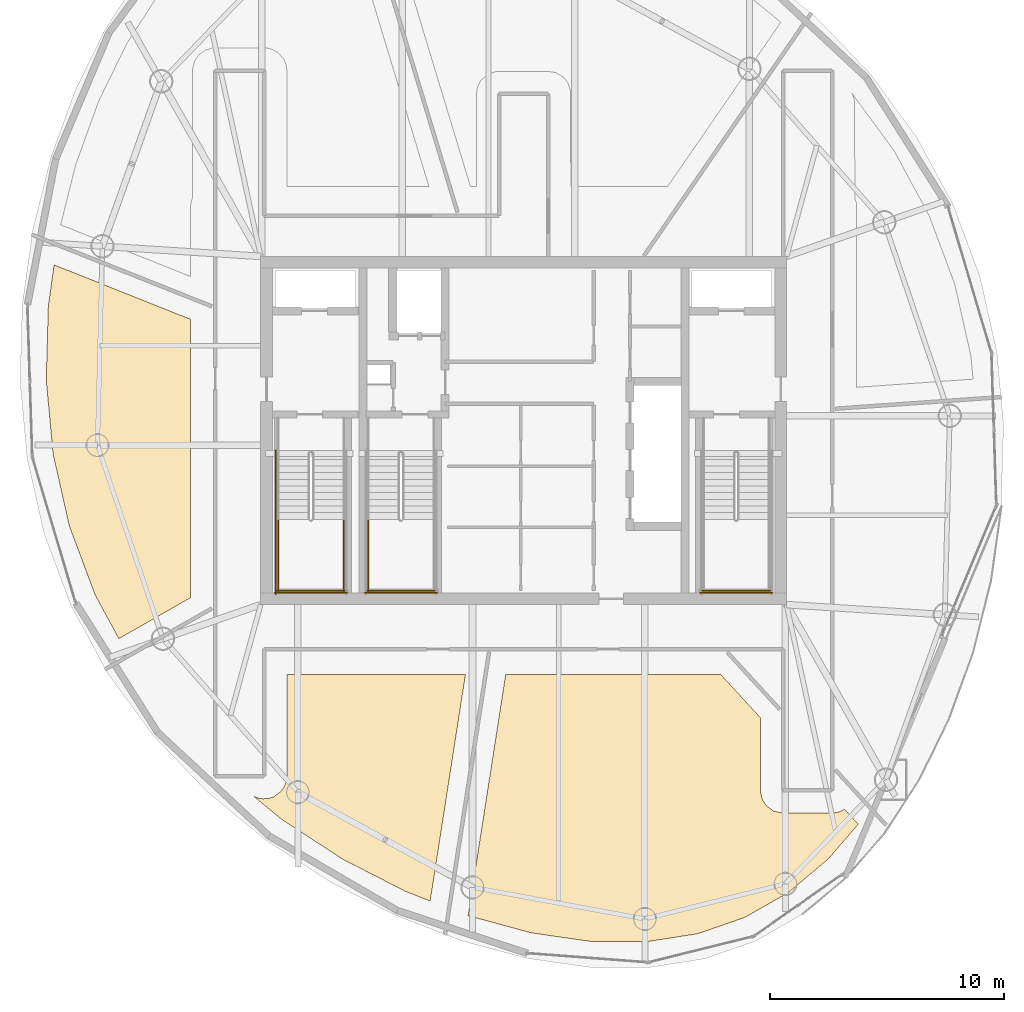
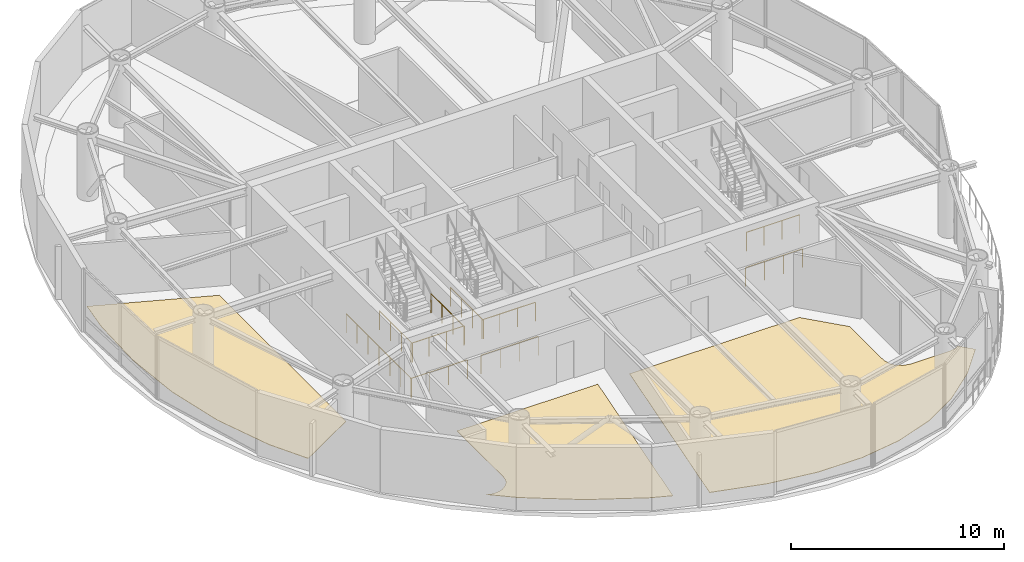
# One storey, part 20 of 23: 10 railings, 3 coverings.
"""IFC4 building model written with IfcOpenShell, lengths in metres."""

from ifc_helpers import new_model, si_unit, direction, frame, origin, origin_2d, place, context, subcontext, project, spatial, polyline, circle, outline, extrude, material, layer, layer_set, type_object, element, save


model = new_model("IFC4")

# Units and contexts
model_context = context("Model", 3, precision=1e-05, world=origin(), true_north=direction((0.0, 1.0)))
body_context = subcontext(model_context, "Body", "Model", "MODEL_VIEW")
ifc_project = project(units=[si_unit("LENGTHUNIT", "METRE"), si_unit("AREAUNIT", "SQUARE_METRE"), si_unit("VOLUMEUNIT", "CUBIC_METRE"), si_unit("PLANEANGLEUNIT", "RADIAN"), si_unit("MASSUNIT", "GRAM", prefix="KILO")], contexts=[model_context])

# Site, building, storey
site_placement = place(None, origin())
site = spatial("IfcSite", under=ifc_project, at=site_placement, CompositionType="ELEMENT")
building_placement = place(site_placement, origin())
building = spatial("IfcBuilding", under=site, at=building_placement, Name="Bramvorn Convention Spire", CompositionType="ELEMENT")
storey_placement = place(building_placement, frame((0.0, 0.0, 295.949951171875)))
storey = spatial("IfcBuildingStorey", under=building, at=storey_placement, Name="L75", CompositionType="ELEMENT", Elevation=295.949951171875)

# Coverings
ifc_material_1 = material(Name="Honed Dolomitic Limestone Terrazzo Flooring", Category="masonry")
ifc_layer = layer(ifc_material_1, 0.02490234375)
ifc_layer_set = layer_set([ifc_layer], Name="Honed Dolomitic Limestone Terrazzo Flooring - FLR-TERRAZZO-25")
covering_type = type_object("IfcCoveringType", Name="FLR-TERRAZZO-25", PredefinedType="FLOORING", material=ifc_layer_set)
covering_1_placement = place(storey_placement, origin())
element("IfcCovering", 1, at=covering_1_placement, inside=storey, type_object=covering_type, Name="L75 Exhibition Main Kitchen 4 raised floor finish", PredefinedType="FLOORING", context=body_context, shape_type="SweptSolid", body=[
    extrude(outline(polyline([(19.658203125, 18.978759765625), (20.6787109375, 17.093017578125), (23.75, 18.845947265625), (23.75, 30.760009765625), (17.9091796875, 33.0859375), (17.66162109375, 31.312744140625), (17.573974609375, 28.15576171875), (17.864990234375, 25.004638671875), (18.5576171875, 21.926025390625), (19.658203125, 18.978759765625)])), origin(), (0.0, 0.0, 1.0), 0.025146484375),
])
covering_2_placement = place(storey_placement, origin())
element("IfcCovering", 2, at=covering_2_placement, inside=storey, type_object=covering_type, Name="L75 Sommelier Wine Cellar Store 5 raised floor finish", PredefinedType="FLOORING", context=body_context, shape_type="SweptSolid", body=[
    extrude(outline(polyline([(27.64013671875, 9.365966796875), (30.2529296875, 7.6591796875), (32.95947265625, 6.27197265625), (34.00244140625, 5.866943359375), (35.51123046875, 15.550048828125), (27.8701171875, 15.550048828125), (27.8701171875, 11.207763671875), (27.83935546875, 10.966064453125), (27.77392578125, 10.787353515625), (27.6220703125, 10.560302734375), (27.308349609375, 10.327880859375), (27.128662109375, 10.26513671875), (26.856689453125, 10.23876953125), (26.65673828125, 10.268798828125), (26.44287109375, 10.353271484375), (27.64013671875, 9.365966796875)])), origin(), (0.0, 0.0, 1.0), 0.025146484375),
])
covering_3_placement = place(storey_placement, origin())
element("IfcCovering", 3, at=covering_3_placement, inside=storey, type_object=covering_type, Name="L75 Private Event Meeting Suite 6 raised floor finish", PredefinedType="FLOORING", context=body_context, shape_type="SweptSolid", body=[
    extrude(outline(polyline([(47.47265625, 5.166015625), (49.32568359375, 6.22705078125), (51.028564453125, 7.657958984375), (52.32080078125, 9.154296875), (51.73486328125, 9.7919921875), (51.521240234375, 9.684814453125), (51.25341796875, 9.631591796875), (49.058349609375, 9.631103515625), (48.690673828125, 9.720703125), (48.38525390625, 9.9443359375), (48.220703125, 10.190673828125), (48.131591796875, 10.54638671875), (48.1298828125, 13.71630859375), (46.4453125, 15.550048828125), (37.231689453125, 15.550048828125), (35.624755859375, 5.2373046875), (38.33837890625, 4.501953125), (40.87841796875, 4.13671875), (43.25732421875, 4.12451171875), (45.454833984375, 4.467041015625), (47.47265625, 5.166015625)])), origin(), (0.0, 0.0, 1.0), 0.025146484375),
])

# Railings
ifc_material_2 = material(Name="Painted Steel Balustrade & Guardrail", Category="steel")
railing_type = type_object("IfcRailingType", Name="RL-STAIR-GUARD-1100", PredefinedType="GUARDRAIL", material=ifc_material_2)
for number, where, name in (
    (4, (27.5, 22.199951171875, 1.925048828125), "L75 ST1 stair guard 3"),
    (5, (30.300048828125, 22.199951171875, 1.925048828125), "L75 ST1 stair guard 4"),
):
    element("IfcRailing", number, at=place(storey_placement, frame(where)), inside=storey, type_object=railing_type, Name=name, PredefinedType="GUARDRAIL", context=body_context, shape_type="SweptSolid", body=[
        extrude(circle(Radius=0.02392578125, at=origin_2d()), frame((0.0, 0.0, 1.076171875), z_axis=(0.0, -1.0, 0.0), x_axis=(1.0, 0.0, 0.0)), (0.0, 0.0, 1.0), 3.099853515625),
        extrude(circle(Radius=0.02099609375, at=origin_2d()), origin(), (0.0, 0.0, 1.0), 1.052001953125),
        extrude(circle(Radius=0.02099609375, at=origin_2d()), frame((0.0, -1.033203125, 0.0)), (0.0, 0.0, 1.0), 1.052001953125),
        extrude(circle(Radius=0.02099609375, at=origin_2d()), frame((0.0, -2.066650390625, 0.0)), (0.0, 0.0, 1.0), 1.052001953125),
        extrude(circle(Radius=0.02099609375, at=origin_2d()), frame((0.0, -3.099853515625, 0.0)), (0.0, 0.0, 1.0), 1.052001953125),
    ])
railing_1_placement = place(storey_placement, frame((27.449951171875, 19.14990234375, 1.925048828125)))
element("IfcRailing", 6, at=railing_1_placement, inside=storey, type_object=railing_type, Name="L75 ST1 stair guard 5", PredefinedType="GUARDRAIL", context=body_context, shape_type="SweptSolid", body=[
    extrude(circle(Radius=0.02392578125, at=origin_2d()), frame((0.0, 0.0, 1.076171875), z_axis=(1.0, 0.0, 0.0), x_axis=(0.0, 1.0, 0.0)), (0.0, 0.0, 1.0), 2.900146484375),
    extrude(circle(Radius=0.02099609375, at=origin_2d()), origin(), (0.0, 0.0, 1.0), 1.052001953125),
    extrude(circle(Radius=0.02099609375, at=origin_2d()), frame((0.966796875, 0.0, 0.0)), (0.0, 0.0, 1.0), 1.052001953125),
    extrude(circle(Radius=0.02099609375, at=origin_2d()), frame((1.933349609375, 0.0, 0.0)), (0.0, 0.0, 1.0), 1.052001953125),
    extrude(circle(Radius=0.02099609375, at=origin_2d()), frame((2.900146484375, 0.0, 0.0)), (0.0, 0.0, 1.0), 1.052001953125),
])
railing_2_placement = place(storey_placement, frame((27.39990234375, 25.14990234375, 0.0)))
element("IfcRailing", 7, at=railing_2_placement, inside=storey, type_object=railing_type, Name="L75 ST1 stair guard 10", PredefinedType="GUARDRAIL", context=body_context, shape_type="SweptSolid", body=[
    extrude(circle(Radius=0.02392578125, at=origin_2d()), frame((0.0, 0.0, 1.076171875), z_axis=(0.0, -1.0, 0.0), x_axis=(1.0, 0.0, 0.0)), (0.0, 0.0, 1.0), 6.14990234375),
    extrude(circle(Radius=0.02099609375, at=origin_2d()), origin(), (0.0, 0.0, 1.0), 1.052001953125),
    extrude(circle(Radius=0.02099609375, at=origin_2d()), frame((0.0, -1.02490234375, 0.0)), (0.0, 0.0, 1.0), 1.052001953125),
    extrude(circle(Radius=0.02099609375, at=origin_2d()), frame((0.0, -2.050048828125, 0.0)), (0.0, 0.0, 1.0), 1.052001953125),
    extrude(circle(Radius=0.02099609375, at=origin_2d()), frame((0.0, -3.074951171875, 0.0)), (0.0, 0.0, 1.0), 1.052001953125),
    extrude(circle(Radius=0.02099609375, at=origin_2d()), frame((0.0, -4.099853515625, 0.0)), (0.0, 0.0, 1.0), 1.052001953125),
    extrude(circle(Radius=0.02099609375, at=origin_2d()), frame((0.0, -5.125, 0.0)), (0.0, 0.0, 1.0), 1.052001953125),
    extrude(circle(Radius=0.02099609375, at=origin_2d()), frame((0.0, -6.14990234375, 0.0)), (0.0, 0.0, 1.0), 1.052001953125),
])
railing_3_placement = place(storey_placement, frame((27.35009765625, 19.050048828125, 0.0)))
element("IfcRailing", 8, at=railing_3_placement, inside=storey, type_object=railing_type, Name="L75 ST1 stair guard 12", PredefinedType="GUARDRAIL", context=body_context, shape_type="SweptSolid", body=[
    extrude(circle(Radius=0.02392578125, at=origin_2d()), frame((0.0, 0.0, 1.076171875), z_axis=(1.0, 0.0, 0.0), x_axis=(0.0, 1.0, 0.0)), (0.0, 0.0, 1.0), 3.099853515625),
    extrude(circle(Radius=0.02099609375, at=origin_2d()), origin(), (0.0, 0.0, 1.0), 1.052001953125),
    extrude(circle(Radius=0.02099609375, at=origin_2d()), frame((1.033203125, 0.0, 0.0)), (0.0, 0.0, 1.0), 1.052001953125),
    extrude(circle(Radius=0.02099609375, at=origin_2d()), frame((2.066650390625, 0.0, 0.0)), (0.0, 0.0, 1.0), 1.052001953125),
    extrude(circle(Radius=0.02099609375, at=origin_2d()), frame((3.099853515625, 0.0, 0.0)), (0.0, 0.0, 1.0), 1.052001953125),
])
railing_4_placement = place(storey_placement, frame((45.64990234375, 19.14990234375, 1.925048828125)))
element("IfcRailing", 9, at=railing_4_placement, inside=storey, type_object=railing_type, Name="L75 ST2 stair guard 5", PredefinedType="GUARDRAIL", context=body_context, shape_type="SweptSolid", body=[
    extrude(circle(Radius=0.02392578125, at=origin_2d()), frame((0.0, 0.0, 1.076171875), z_axis=(1.0, 0.0, 0.0), x_axis=(0.0, 1.0, 0.0)), (0.0, 0.0, 1.0), 2.900146484375),
    extrude(circle(Radius=0.02099609375, at=origin_2d()), origin(), (0.0, 0.0, 1.0), 1.052001953125),
    extrude(circle(Radius=0.02099609375, at=origin_2d()), frame((0.966796875, 0.0, 0.0)), (0.0, 0.0, 1.0), 1.052001953125),
    extrude(circle(Radius=0.02099609375, at=origin_2d()), frame((1.933349609375, 0.0, 0.0)), (0.0, 0.0, 1.0), 1.052001953125),
    extrude(circle(Radius=0.02099609375, at=origin_2d()), frame((2.900146484375, 0.0, 0.0)), (0.0, 0.0, 1.0), 1.052001953125),
])
railing_5_placement = place(storey_placement, frame((45.550048828125, 19.050048828125, 0.0)))
element("IfcRailing", 10, at=railing_5_placement, inside=storey, type_object=railing_type, Name="L75 ST2 stair guard 12", PredefinedType="GUARDRAIL", context=body_context, shape_type="SweptSolid", body=[
    extrude(circle(Radius=0.02392578125, at=origin_2d()), frame((0.0, 0.0, 1.076171875), z_axis=(1.0, 0.0, 0.0), x_axis=(0.0, 1.0, 0.0)), (0.0, 0.0, 1.0), 3.099853515625),
    extrude(circle(Radius=0.02099609375, at=origin_2d()), origin(), (0.0, 0.0, 1.0), 1.052001953125),
    extrude(circle(Radius=0.02099609375, at=origin_2d()), frame((1.033203125, 0.0, 0.0)), (0.0, 0.0, 1.0), 1.052001953125),
    extrude(circle(Radius=0.02099609375, at=origin_2d()), frame((2.066650390625, 0.0, 0.0)), (0.0, 0.0, 1.0), 1.052001953125),
    extrude(circle(Radius=0.02099609375, at=origin_2d()), frame((3.099853515625, 0.0, 0.0)), (0.0, 0.0, 1.0), 1.052001953125),
])
railing_6_placement = place(storey_placement, frame((31.35009765625, 22.199951171875, 1.925048828125)))
element("IfcRailing", 11, at=railing_6_placement, inside=storey, type_object=railing_type, Name="L75 ST3 stair guard 3", PredefinedType="GUARDRAIL", context=body_context, shape_type="SweptSolid", body=[
    extrude(circle(Radius=0.02392578125, at=origin_2d()), frame((0.0, 0.0, 1.076171875), z_axis=(0.0, -1.0, 0.0), x_axis=(1.0, 0.0, 0.0)), (0.0, 0.0, 1.0), 3.099853515625),
    extrude(circle(Radius=0.02099609375, at=origin_2d()), origin(), (0.0, 0.0, 1.0), 1.052001953125),
    extrude(circle(Radius=0.02099609375, at=origin_2d()), frame((0.0, -1.033203125, 0.0)), (0.0, 0.0, 1.0), 1.052001953125),
    extrude(circle(Radius=0.02099609375, at=origin_2d()), frame((0.0, -2.066650390625, 0.0)), (0.0, 0.0, 1.0), 1.052001953125),
    extrude(circle(Radius=0.02099609375, at=origin_2d()), frame((0.0, -3.099853515625, 0.0)), (0.0, 0.0, 1.0), 1.052001953125),
])
railing_7_placement = place(storey_placement, frame((31.300048828125, 19.14990234375, 1.925048828125)))
element("IfcRailing", 12, at=railing_7_placement, inside=storey, type_object=railing_type, Name="L75 ST3 stair guard 5", PredefinedType="GUARDRAIL", context=body_context, shape_type="SweptSolid", body=[
    extrude(circle(Radius=0.02392578125, at=origin_2d()), frame((0.0, 0.0, 1.076171875), z_axis=(1.0, 0.0, 0.0), x_axis=(0.0, 1.0, 0.0)), (0.0, 0.0, 1.0), 2.89990234375),
    extrude(circle(Radius=0.02099609375, at=origin_2d()), origin(), (0.0, 0.0, 1.0), 1.052001953125),
    extrude(circle(Radius=0.02099609375, at=origin_2d()), frame((0.966552734375, 0.0, 0.0)), (0.0, 0.0, 1.0), 1.052001953125),
    extrude(circle(Radius=0.02099609375, at=origin_2d()), frame((1.933349609375, 0.0, 0.0)), (0.0, 0.0, 1.0), 1.052001953125),
    extrude(circle(Radius=0.02099609375, at=origin_2d()), frame((2.89990234375, 0.0, 0.0)), (0.0, 0.0, 1.0), 1.052001953125),
])
railing_8_placement = place(storey_placement, frame((31.199951171875, 19.050048828125, 0.0)))
element("IfcRailing", 13, at=railing_8_placement, inside=storey, type_object=railing_type, Name="L75 ST3 stair guard 12", PredefinedType="GUARDRAIL", context=body_context, shape_type="SweptSolid", body=[
    extrude(circle(Radius=0.02392578125, at=origin_2d()), frame((0.0, 0.0, 1.076171875), z_axis=(1.0, 0.0, 0.0), x_axis=(0.0, 1.0, 0.0)), (0.0, 0.0, 1.0), 3.10009765625),
    extrude(circle(Radius=0.02099609375, at=origin_2d()), origin(), (0.0, 0.0, 1.0), 1.052001953125),
    extrude(circle(Radius=0.02099609375, at=origin_2d()), frame((1.033447265625, 0.0, 0.0)), (0.0, 0.0, 1.0), 1.052001953125),
    extrude(circle(Radius=0.02099609375, at=origin_2d()), frame((2.066650390625, 0.0, 0.0)), (0.0, 0.0, 1.0), 1.052001953125),
    extrude(circle(Radius=0.02099609375, at=origin_2d()), frame((3.10009765625, 0.0, 0.0)), (0.0, 0.0, 1.0), 1.052001953125),
])

save(model, "model.ifc")
